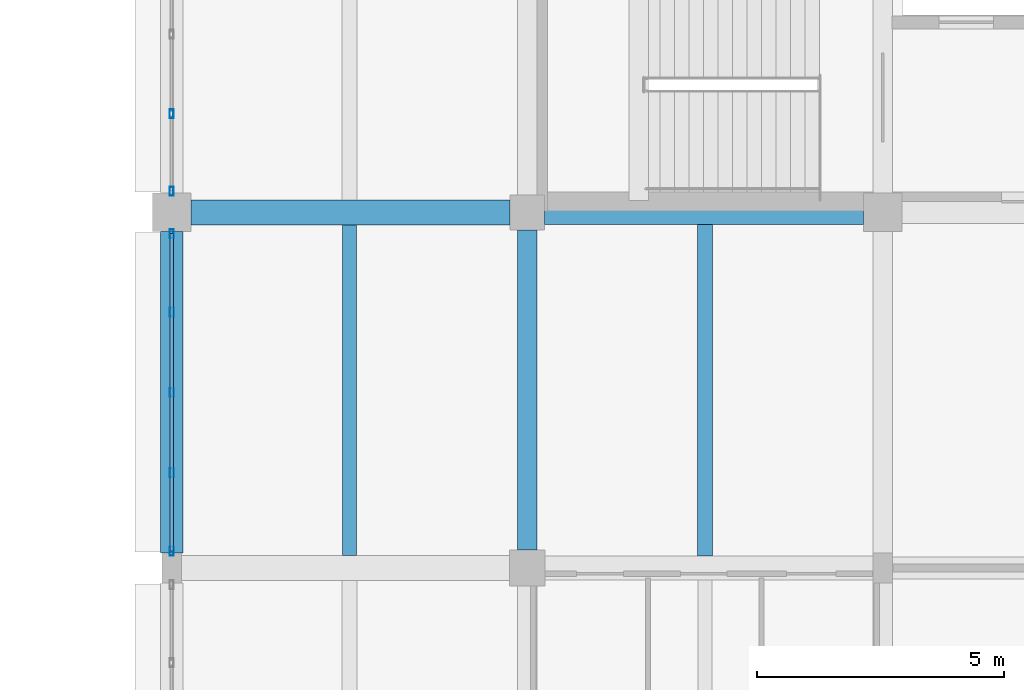
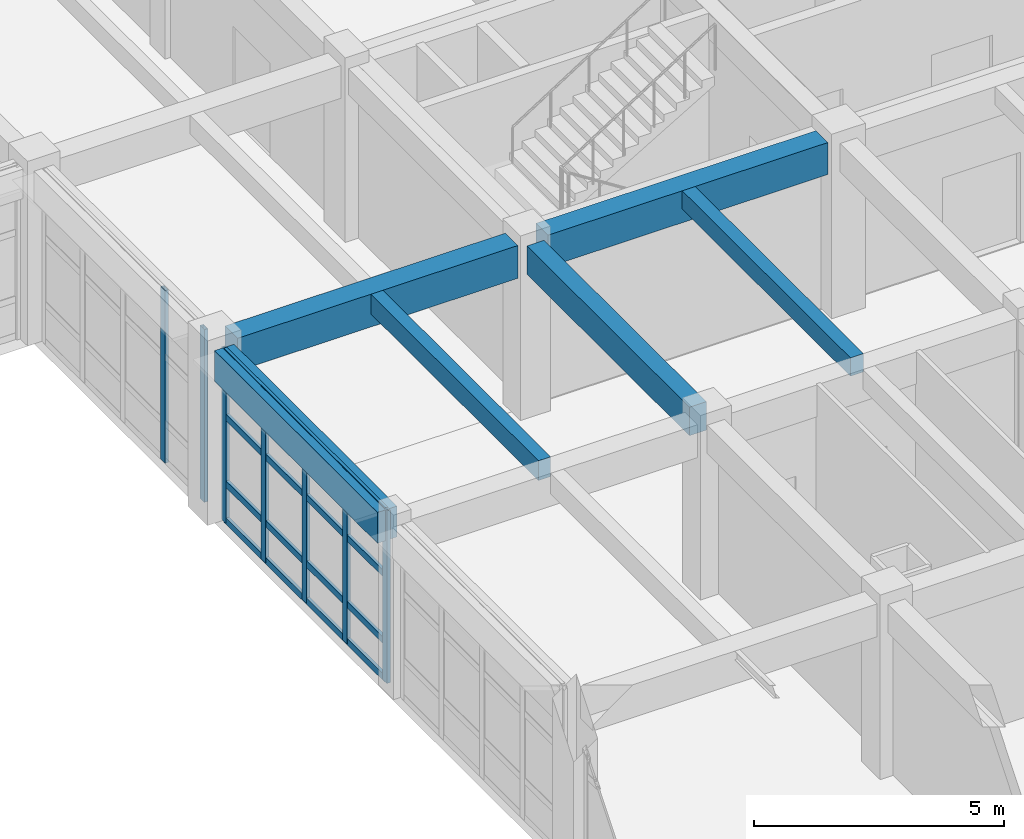
# One storey, part 108 of 171: 11 members, 6 beams, 2 elements without a shape of their own.
"""IFC4 building model written with IfcOpenShell, lengths in metres."""

from ifc_helpers import new_model, si_unit, direction, frame, origin, origin_2d, place, context, subcontext, project, spatial, rectangle, hollow_rectangle, extrude, material, material_profile, profile_set, type_object, element, aggregate, save


model = new_model("IFC4")

# Units and contexts
model_context = context("Model", 3, precision=1e-05, world=origin(), true_north=direction((0.0, 1.0)))
body_context = subcontext(model_context, "Body", "Model", "MODEL_VIEW")
ifc_project = project(units=[si_unit("LENGTHUNIT", "METRE"), si_unit("AREAUNIT", "SQUARE_METRE"), si_unit("VOLUMEUNIT", "CUBIC_METRE"), si_unit("PLANEANGLEUNIT", "RADIAN"), si_unit("MASSUNIT", "GRAM", prefix="KILO")], contexts=[model_context])

# Site, building, storey
site_placement = place(None, origin())
site = spatial("IfcSite", under=ifc_project, at=site_placement, CompositionType="ELEMENT")
building_placement = place(site_placement, origin())
building = spatial("IfcBuilding", under=site, at=building_placement, Name="Thalmaran Polytechnic", CompositionType="ELEMENT")
storey_placement = place(building_placement, frame((0.0, 0.0, 5.39990234375)))
storey = spatial("IfcBuildingStorey", under=building, at=storey_placement, Name="L01", CompositionType="ELEMENT", Elevation=5.39990234375)

# Beams
ifc_material_1 = material(Name="Concrete C40/50", Category="concrete")
ifc_material_profile_1 = material_profile(ifc_material_1, rectangle(XDim=0.5, YDim=0.800048828125, at=origin_2d()), Name="RC 500x800")
ifc_profile_set_1 = profile_set([ifc_material_profile_1], Name="Concrete C40/50")
beam_type_1 = type_object("IfcBeamType", Name="BM-RC02", PredefinedType="BEAM", material=ifc_profile_set_1)
beam_1_placement = place(storey_placement, frame((129.989990234375, 86.39990234375, 3.81005859375), z_axis=(1.0, 0.0, 0.0), x_axis=(0.0, 1.0, 0.0)))
element("IfcBeam", 1, at=beam_1_placement, inside=storey, type_object=beam_type_1, Name="Grid Beam B02 L01 X(18,12)", PredefinedType="BEAM", context=body_context, shape_type="SweptSolid", body=[
    extrude(rectangle(XDim=0.5, YDim=0.800048828125, at=origin_2d()), origin(), (0.0, 0.0, 1.0), 6.4599609375),
])
ifc_material_profile_2 = material_profile(ifc_material_1, rectangle(XDim=0.389892578125, YDim=0.695068359375, at=origin_2d()), Name="RC 390x695")
ifc_profile_set_2 = profile_set([ifc_material_profile_2], Name="Concrete C40/50")
beam_type_2 = type_object("IfcBeamType", Name="BM-RC10", PredefinedType="BEAM", material=ifc_profile_set_2)
beam_2_placement = place(storey_placement, frame((136.800048828125, 79.56005859375, 3.862548828125), z_axis=(0.0, 1.0, 0.0), x_axis=(-1.0, 0.0, 0.0)))
element("IfcBeam", 2, at=beam_2_placement, inside=storey, type_object=beam_type_2, Name="Grid Beam B10 L01 Y(19,11)", PredefinedType="BEAM", context=body_context, shape_type="SweptSolid", body=[
    extrude(rectangle(XDim=0.389892578125, YDim=0.695068359375, at=origin_2d()), origin(), (0.0, 0.0, 1.0), 6.489990234375),
])
ifc_material_profile_3 = material_profile(ifc_material_1, rectangle(XDim=0.300048828125, YDim=0.449951171875, at=origin_2d()), Name="RC 300x450")
ifc_profile_set_3 = profile_set([ifc_material_profile_3], Name="Concrete C40/50")
beam_type_3 = type_object("IfcBeamType", Name="BM-RC12", PredefinedType="JOIST", material=ifc_profile_set_3)
beam_3_placement = place(storey_placement, frame((140.39990234375, 79.43994140625, 3.985107421875), z_axis=(0.0, 1.0, 0.0), x_axis=(-1.0, 0.0, 0.0)))
element("IfcBeam", 3, at=beam_3_placement, inside=storey, type_object=beam_type_3, Name="Secondary Floor Rib RB02 L01 (19,11)", PredefinedType="JOIST", context=body_context, shape_type="SweptSolid", body=[
    extrude(rectangle(XDim=0.300048828125, YDim=0.449951171875, at=origin_2d()), origin(), (0.0, 0.0, 1.0), 6.719970703125),
])
ifc_material_profile_4 = material_profile(ifc_material_1, rectangle(XDim=0.449951171875, YDim=0.7548828125, at=origin_2d()), Name="RC 450x755")
ifc_profile_set_4 = profile_set([ifc_material_profile_4], Name="Concrete C40/50")
beam_type_4 = type_object("IfcBeamType", Name="BM-SP02", PredefinedType="SPANDREL", material=ifc_profile_set_4)
beam_4_placement = place(storey_placement, frame((129.60009765625, 79.5, 3.83251953125), z_axis=(0.0, 1.0, 0.0), x_axis=(-1.0, 0.0, 0.0)))
element("IfcBeam", 4, at=beam_4_placement, inside=storey, type_object=beam_type_4, Name="Grid Beam SP02 L01 Y(18,11)", PredefinedType="SPANDREL", context=body_context, shape_type="SweptSolid", body=[
    extrude(rectangle(XDim=0.449951171875, YDim=0.7548828125, at=origin_2d()), origin(), (0.0, 0.0, 1.0), 6.510009765625),
])
ifc_material_profile_5 = material_profile(ifc_material_1, rectangle(XDim=0.47998046875, YDim=0.780029296875, at=origin_2d()), Name="RC 480x780")
ifc_profile_set_5 = profile_set([ifc_material_profile_5], Name="Concrete C40/50")
beam_type_5 = type_object("IfcBeamType", Name="BM-ZB01", PredefinedType="BEAM", material=ifc_profile_set_5)
beam_5_placement = place(storey_placement, frame((137.14990234375, 86.39990234375, 3.820068359375), z_axis=(1.0, 0.0, 0.0), x_axis=(0.0, 1.0, 0.0)))
element("IfcBeam", 5, at=beam_5_placement, inside=storey, type_object=beam_type_5, Name="Grid Beam ZB01 L01 X(19,12)", PredefinedType="BEAM", context=body_context, shape_type="SweptSolid", body=[
    extrude(rectangle(XDim=0.47998046875, YDim=0.780029296875, at=origin_2d()), origin(), (0.0, 0.0, 1.0), 6.460205078125),
])
ifc_material_profile_6 = material_profile(ifc_material_1, rectangle(XDim=0.280029296875, YDim=0.47998046875, at=origin_2d()), Name="RC 280x480")
ifc_profile_set_6 = profile_set([ifc_material_profile_6], Name="Concrete C40/50")
beam_type_6 = type_object("IfcBeamType", Name="BM-ZJ01", PredefinedType="JOIST", material=ifc_profile_set_6)
beam_6_placement = place(storey_placement, frame((133.199951171875, 79.449951171875, 3.97021484375), z_axis=(0.0, 1.0, 0.0), x_axis=(-1.0, 0.0, 0.0)))
element("IfcBeam", 6, at=beam_6_placement, inside=storey, type_object=beam_type_6, Name="Secondary Floor Rib ZJ01 L01 (18,11)", PredefinedType="JOIST", context=body_context, shape_type="SweptSolid", body=[
    extrude(rectangle(XDim=0.280029296875, YDim=0.47998046875, at=origin_2d()), origin(), (0.0, 0.0, 1.0), 6.699951171875),
])

# Curtain wall, members
ifc_material_2 = material(Name="Aluminium 6063-T6", Category="aluminium")
curtain_wall_type = type_object("IfcCurtainWallType", Name="CW-UC02", PredefinedType="USERDEFINED", material=ifc_material_2)
curtain_wall_1_placement = place(storey_placement, origin())
curtain_wall_1 = element("IfcCurtainWall", 7, at=curtain_wall_1_placement, inside=storey, type_object=curtain_wall_type, Name="Curtain Wall CW-L01-183", ObjectType="UNITISED CURTAIN WALL", PredefinedType="USERDEFINED")
ifc_material_profile_7 = material_profile(ifc_material_2, hollow_rectangle(XDim=0.080078125, YDim=0.179931640625, WallThickness=0.0048828125, at=origin_2d()), Name="RHS 180x80x5.0")
ifc_profile_set_7 = profile_set([ifc_material_profile_7], Name="Aluminium 6063-T6")
member_type_1 = type_object("IfcMemberType", Name="CW-MUL1", PredefinedType="MULLION", material=ifc_profile_set_7)
member_1_placement = place(storey_placement, frame((129.60009765625, 79.5400390625, 0.0), z_axis=(0.0, 0.0, 1.0), x_axis=(1.0, 0.0, 0.0)))
member_1 = element("IfcMember", 8, at=member_1_placement, type_object=member_type_1, Name="CW-L01-183 Mullion 1", PredefinedType="MULLION", context=body_context, shape_type="SweptSolid", body=[
    extrude(hollow_rectangle(XDim=0.080078125, YDim=0.179931640625, WallThickness=0.0048828125, at=origin_2d()), origin(), (0.0, 0.0, 1.0), 4.210205078125),
])
member_2_placement = place(storey_placement, frame((129.60009765625, 81.12744140625, 0.0), z_axis=(0.0, 0.0, 1.0), x_axis=(1.0, 0.0, 0.0)))
member_2 = element("IfcMember", 9, at=member_2_placement, type_object=member_type_1, Name="CW-L01-183 Mullion 2", PredefinedType="MULLION", context=body_context, shape_type="SweptSolid", body=[
    extrude(hollow_rectangle(XDim=0.080078125, YDim=0.179931640625, WallThickness=0.0048828125, at=origin_2d()), origin(), (0.0, 0.0, 1.0), 4.210205078125),
])
member_3_placement = place(storey_placement, frame((129.60009765625, 82.7548828125, 0.0), z_axis=(0.0, 0.0, 1.0), x_axis=(1.0, 0.0, 0.0)))
member_3 = element("IfcMember", 10, at=member_3_placement, type_object=member_type_1, Name="CW-L01-183 Mullion 3", PredefinedType="MULLION", context=body_context, shape_type="SweptSolid", body=[
    extrude(hollow_rectangle(XDim=0.080078125, YDim=0.179931640625, WallThickness=0.0048828125, at=origin_2d()), origin(), (0.0, 0.0, 1.0), 4.210205078125),
])
member_4_placement = place(storey_placement, frame((129.60009765625, 84.382568359375, 0.0), z_axis=(0.0, 0.0, 1.0), x_axis=(1.0, 0.0, 0.0)))
member_4 = element("IfcMember", 11, at=member_4_placement, type_object=member_type_1, Name="CW-L01-183 Mullion 4", PredefinedType="MULLION", context=body_context, shape_type="SweptSolid", body=[
    extrude(hollow_rectangle(XDim=0.080078125, YDim=0.179931640625, WallThickness=0.0048828125, at=origin_2d()), origin(), (0.0, 0.0, 1.0), 4.210205078125),
])
member_5_placement = place(storey_placement, frame((129.60009765625, 85.969970703125, 0.0), z_axis=(0.0, 0.0, 1.0), x_axis=(1.0, 0.0, 0.0)))
member_5 = element("IfcMember", 12, at=member_5_placement, type_object=member_type_1, Name="CW-L01-183 Mullion 5", PredefinedType="MULLION", context=body_context, shape_type="SweptSolid", body=[
    extrude(hollow_rectangle(XDim=0.080078125, YDim=0.179931640625, WallThickness=0.0048828125, at=origin_2d()), origin(), (0.0, 0.0, 1.0), 4.210205078125),
])

curtain_wall_2_placement = place(storey_placement, origin())
curtain_wall_2 = element("IfcCurtainWall", 13, at=curtain_wall_2_placement, inside=storey, type_object=curtain_wall_type, Name="Curtain Wall CW-L01-184", ObjectType="UNITISED CURTAIN WALL", PredefinedType="USERDEFINED")
member_6_placement = place(storey_placement, frame((129.60009765625, 86.830078125, 0.0), z_axis=(0.0, 0.0, 1.0), x_axis=(1.0, 0.0, 0.0)))
member_6 = element("IfcMember", 14, at=member_6_placement, type_object=member_type_1, Name="CW-L01-184 Mullion 1", PredefinedType="MULLION", context=body_context, shape_type="SweptSolid", body=[
    extrude(hollow_rectangle(XDim=0.080078125, YDim=0.179931640625, WallThickness=0.0048828125, at=origin_2d()), origin(), (0.0, 0.0, 1.0), 4.210205078125),
])
member_7_placement = place(storey_placement, frame((129.60009765625, 88.398681640625, 0.0), z_axis=(0.0, 0.0, 1.0), x_axis=(1.0, 0.0, 0.0)))
member_7 = element("IfcMember", 15, at=member_7_placement, type_object=member_type_1, Name="CW-L01-184 Mullion 2", PredefinedType="MULLION", context=body_context, shape_type="SweptSolid", body=[
    extrude(hollow_rectangle(XDim=0.080078125, YDim=0.179931640625, WallThickness=0.0048828125, at=origin_2d()), origin(), (0.0, 0.0, 1.0), 4.210205078125),
])
aggregate(curtain_wall_2, [member_6, member_7])

# Member
ifc_material_profile_8 = material_profile(ifc_material_2, hollow_rectangle(XDim=0.070068359375, YDim=0.159912109375, WallThickness=0.00390625, at=origin_2d()), Name="AL 160x70x4.0")
ifc_profile_set_8 = profile_set([ifc_material_profile_8], Name="Aluminium 6063-T6")
member_type_2 = type_object("IfcMemberType", Name="CW-TRN1", PredefinedType="USERDEFINED", material=ifc_profile_set_8)
member_8_placement = place(storey_placement, frame((129.60009765625, 79.5400390625, 0.06005859375), z_axis=(0.0, 1.0, 0.0), x_axis=(-1.0, 0.0, 0.0)))
member_8 = element("IfcMember", 16, at=member_8_placement, type_object=member_type_2, Name="CW-L01-183 Transom 1", ObjectType="TRANSOM", PredefinedType="USERDEFINED", context=body_context, shape_type="SweptSolid", body=[
    extrude(hollow_rectangle(XDim=0.070068359375, YDim=0.159912109375, WallThickness=0.00390625, at=origin_2d()), origin(), (0.0, 0.0, 1.0), 6.429931640625),
])

member_9_placement = place(storey_placement, frame((129.60009765625, 79.5400390625, 0.960205078125), z_axis=(0.0, 1.0, 0.0), x_axis=(-1.0, 0.0, 0.0)))
member_9 = element("IfcMember", 17, at=member_9_placement, type_object=member_type_2, Name="CW-L01-183 Transom 2", ObjectType="TRANSOM", PredefinedType="USERDEFINED", context=body_context, shape_type="SweptSolid", body=[
    extrude(hollow_rectangle(XDim=0.070068359375, YDim=0.159912109375, WallThickness=0.00390625, at=origin_2d()), origin(), (0.0, 0.0, 1.0), 6.429931640625),
])

member_10_placement = place(storey_placement, frame((129.60009765625, 79.5400390625, 2.585205078125), z_axis=(0.0, 1.0, 0.0), x_axis=(-1.0, 0.0, 0.0)))
member_10 = element("IfcMember", 18, at=member_10_placement, type_object=member_type_2, Name="CW-L01-183 Transom 3", ObjectType="TRANSOM", PredefinedType="USERDEFINED", context=body_context, shape_type="SweptSolid", body=[
    extrude(hollow_rectangle(XDim=0.070068359375, YDim=0.159912109375, WallThickness=0.00390625, at=origin_2d()), origin(), (0.0, 0.0, 1.0), 6.429931640625),
])

member_11_placement = place(storey_placement, frame((129.60009765625, 79.5400390625, 4.150146484375), z_axis=(0.0, 1.0, 0.0), x_axis=(-1.0, 0.0, 0.0)))
member_11 = element("IfcMember", 19, at=member_11_placement, type_object=member_type_2, Name="CW-L01-183 Transom 4", ObjectType="TRANSOM", PredefinedType="USERDEFINED", context=body_context, shape_type="SweptSolid", body=[
    extrude(hollow_rectangle(XDim=0.070068359375, YDim=0.159912109375, WallThickness=0.00390625, at=origin_2d()), origin(), (0.0, 0.0, 1.0), 6.429931640625),
])

aggregate(curtain_wall_1, [member_1, member_2, member_3, member_4, member_5, member_8, member_9, member_10, member_11])

save(model, "model.ifc")
